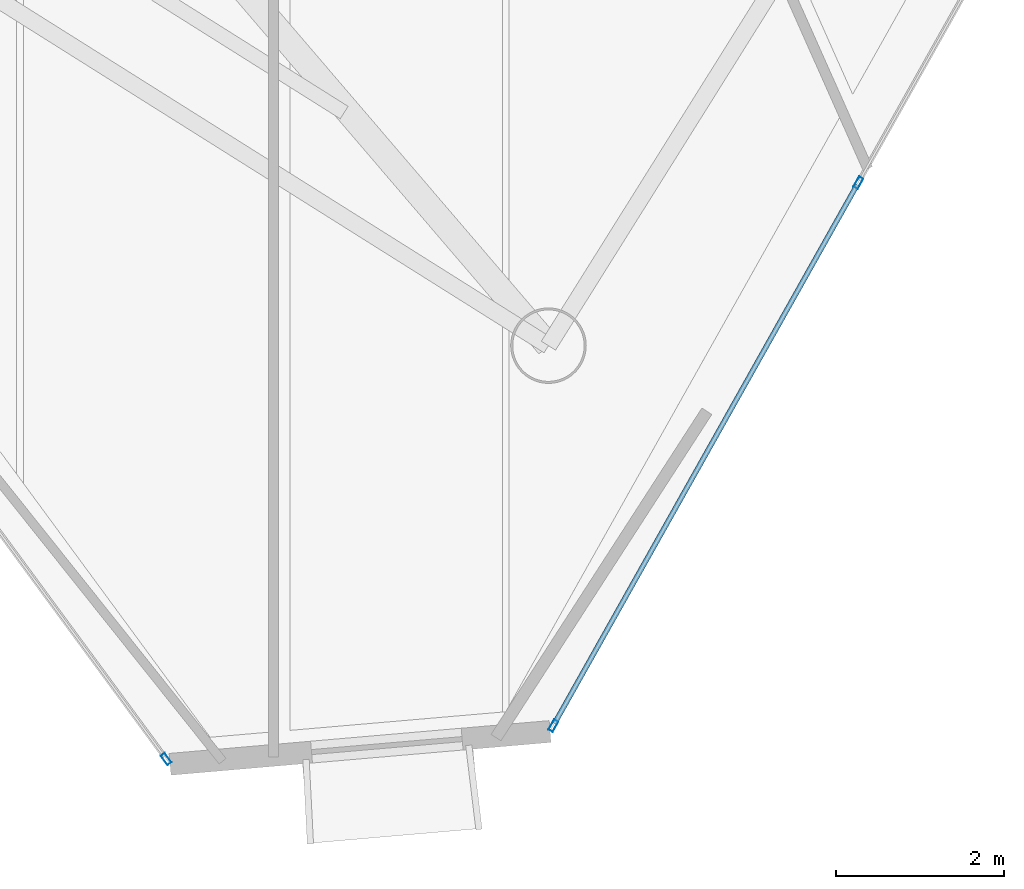
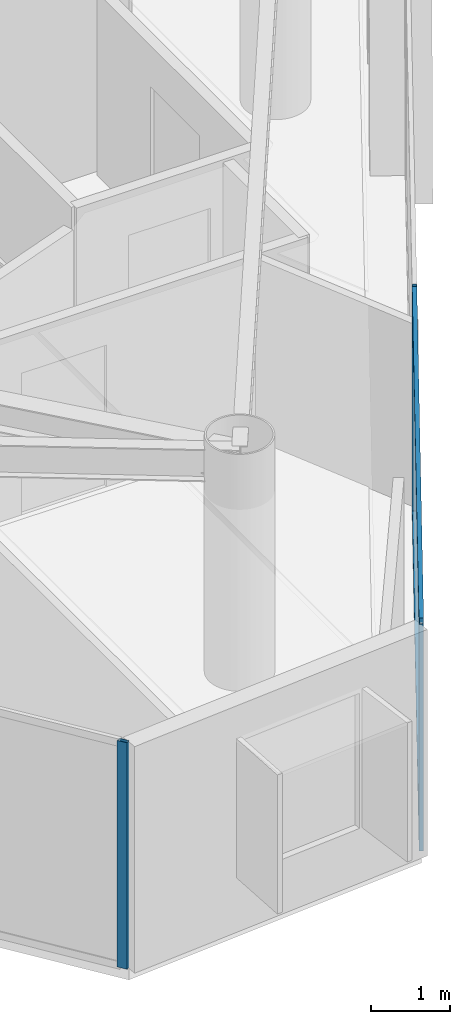
# One storey, part 4 of 21: 5 members, 2 elements without a shape of their own.
"""IFC4 building model written with IfcOpenShell, lengths in metres."""

from ifc_helpers import new_model, si_unit, direction, frame, origin, origin_2d, place, context, subcontext, project, spatial, hollow_rectangle, extrude, material, layer, layer_set, material_profile, profile_set, type_object, element, aggregate, save


model = new_model("IFC4")

# Units and contexts
model_context = context("Model", 3, precision=1e-05, world=origin(), true_north=direction((0.0, 1.0)))
body_context = subcontext(model_context, "Body", "Model", "MODEL_VIEW")
ifc_project = project(units=[si_unit("LENGTHUNIT", "METRE"), si_unit("AREAUNIT", "SQUARE_METRE"), si_unit("VOLUMEUNIT", "CUBIC_METRE"), si_unit("PLANEANGLEUNIT", "RADIAN"), si_unit("MASSUNIT", "GRAM", prefix="KILO")], contexts=[model_context])

# Site, building, storey
site_placement = place(None, origin())
site = spatial("IfcSite", under=ifc_project, at=site_placement, CompositionType="ELEMENT")
building_placement = place(site_placement, origin())
building = spatial("IfcBuilding", under=site, at=building_placement, Name="Qianvela Tower", CompositionType="ELEMENT")
storey_placement = place(building_placement, frame((0.0, 0.0, 302.800048828125)))
storey = spatial("IfcBuildingStorey", under=building, at=storey_placement, Name="L78", CompositionType="ELEMENT", Elevation=302.800048828125)

# Curtain wall, member
ifc_material_1 = material(Name="Anodised Architectural Aluminium and Low-E Glass", Category="aluminium")
ifc_layer = layer(ifc_material_1, 0.14990234375)
ifc_layer_set = layer_set([ifc_layer], Name="Anodised Architectural Aluminium and Low-E Glass")
curtain_wall_type = type_object("IfcCurtainWallType", Name="CW-COLIV-Z78", PredefinedType="USERDEFINED", material=ifc_layer_set)
curtain_wall_1_placement = place(storey_placement, origin())
curtain_wall_1 = element("IfcCurtainWall", 1, at=curtain_wall_1_placement, inside=storey, type_object=curtain_wall_type, Name="L78 CW-COLIV-Z78 Curtain Wall 04C", ObjectType="CURTAIN_WALL_SYSTEM", PredefinedType="USERDEFINED")
ifc_material_2 = material(Name="Anodised Architectural Aluminium 6063-T6", Category="aluminium")
ifc_material_profile_1 = material_profile(ifc_material_2, hollow_rectangle(XDim=0.06005859375, YDim=0.139892578125, WallThickness=0.00439453125, at=origin_2d()), Name="ALU-MULL-60x140")
ifc_profile_set_1 = profile_set([ifc_material_profile_1], Name="Anodised Architectural Aluminium 6063-T6")
member_type_1 = type_object("IfcMemberType", Name="CW-COLIV-Z78-MULL", PredefinedType="MULLION", material=ifc_profile_set_1)
member_1_placement = place(storey_placement, frame((34.542724609375, 6.6669921875, 0.0), z_axis=(0.0, 0.0, 1.0), x_axis=(0.805722167725, 0.592293667395, 0.0)))
member_1 = element("IfcMember", 2, at=member_1_placement, type_object=member_type_1, Name="CW-6 mullion 3", PredefinedType="MULLION", context=body_context, shape_type="SweptSolid", body=[
    extrude(hollow_rectangle(XDim=0.06005859375, YDim=0.139892578125, WallThickness=0.00439453125, at=origin_2d()), origin(), (0.0, 0.0, 1.0), 3.52001953125),
])
aggregate(curtain_wall_1, [member_1])

# Curtain wall, members
curtain_wall_2_placement = place(storey_placement, origin())
curtain_wall_2 = element("IfcCurtainWall", 3, at=curtain_wall_2_placement, inside=storey, type_object=curtain_wall_type, Name="L78 CW-COLIV-Z78 Curtain Wall 06A", ObjectType="CURTAIN_WALL_SYSTEM", PredefinedType="USERDEFINED")
member_2_placement = place(storey_placement, frame((39.154052734375, 7.062744140625, 0.0), z_axis=(0.0, 0.0, 1.0), x_axis=(-0.871839603011, 0.489791493007, 0.0)))
member_2 = element("IfcMember", 4, at=member_2_placement, type_object=member_type_1, Name="CW-6 mullion 1", PredefinedType="MULLION", context=body_context, shape_type="SweptSolid", body=[
    extrude(hollow_rectangle(XDim=0.06005859375, YDim=0.139892578125, WallThickness=0.00439453125, at=origin_2d()), origin(), (0.0, 0.0, 1.0), 3.52001953125),
])
member_3_placement = place(storey_placement, frame((42.785888671875, 13.527587890625, 0.0), z_axis=(0.0, 0.0, 1.0), x_axis=(-0.871839603011, 0.489791493007, 0.0)))
member_3 = element("IfcMember", 5, at=member_3_placement, type_object=member_type_1, Name="CW-6 mullion 2", PredefinedType="MULLION", context=body_context, shape_type="SweptSolid", body=[
    extrude(hollow_rectangle(XDim=0.06005859375, YDim=0.139892578125, WallThickness=0.00439453125, at=origin_2d()), origin(), (0.0, 0.0, 1.0), 3.52001953125),
])
ifc_material_3 = material(Name="Anodised Architectural Aluminium 6063-T6", Category="aluminium")
ifc_material_profile_2 = material_profile(ifc_material_3, hollow_rectangle(XDim=0.06005859375, YDim=0.114990234375, WallThickness=0.00390625, at=origin_2d()), Name="ALU-TRAN-60x115")
ifc_profile_set_2 = profile_set([ifc_material_profile_2], Name="Anodised Architectural Aluminium 6063-T6")
member_type_2 = type_object("IfcMemberType", Name="CW-COLIV-Z78-TRAN", PredefinedType="USERDEFINED", material=ifc_profile_set_2)
member_4_placement = place(storey_placement, frame((39.168701171875, 7.089111328125, 0.030029296875), z_axis=(0.489805720152, 0.871831610178, 0.0), x_axis=(-0.871831610178, 0.489805720152, 0.0)))
member_4 = element("IfcMember", 6, at=member_4_placement, type_object=member_type_2, Name="CW-6 transom 1.1", ObjectType="TRANSOM", PredefinedType="USERDEFINED", context=body_context, shape_type="SweptSolid", body=[
    extrude(hollow_rectangle(XDim=0.06005859375, YDim=0.114990234375, WallThickness=0.00390625, at=origin_2d()), origin(), (0.0, 0.0, 1.0), 7.35498046875),
])
member_5_placement = place(storey_placement, frame((39.168701171875, 7.089111328125, 3.489990234375), z_axis=(0.489805720152, 0.871831610178, 0.0), x_axis=(-0.871831610178, 0.489805720152, 0.0)))
member_5 = element("IfcMember", 7, at=member_5_placement, type_object=member_type_2, Name="CW-6 transom 1.2", ObjectType="TRANSOM", PredefinedType="USERDEFINED", context=body_context, shape_type="SweptSolid", body=[
    extrude(hollow_rectangle(XDim=0.06005859375, YDim=0.114990234375, WallThickness=0.00390625, at=origin_2d()), origin(), (0.0, 0.0, 1.0), 7.35498046875),
])
aggregate(curtain_wall_2, [member_2, member_3, member_4, member_5])

save(model, "model.ifc")
